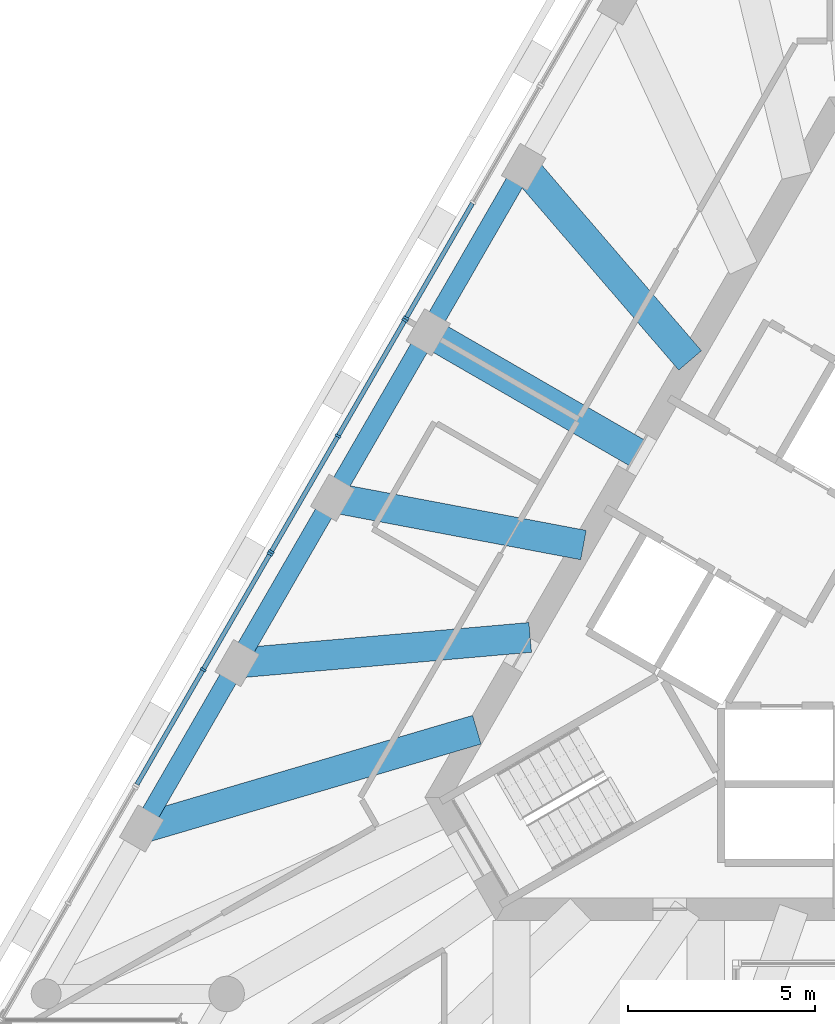
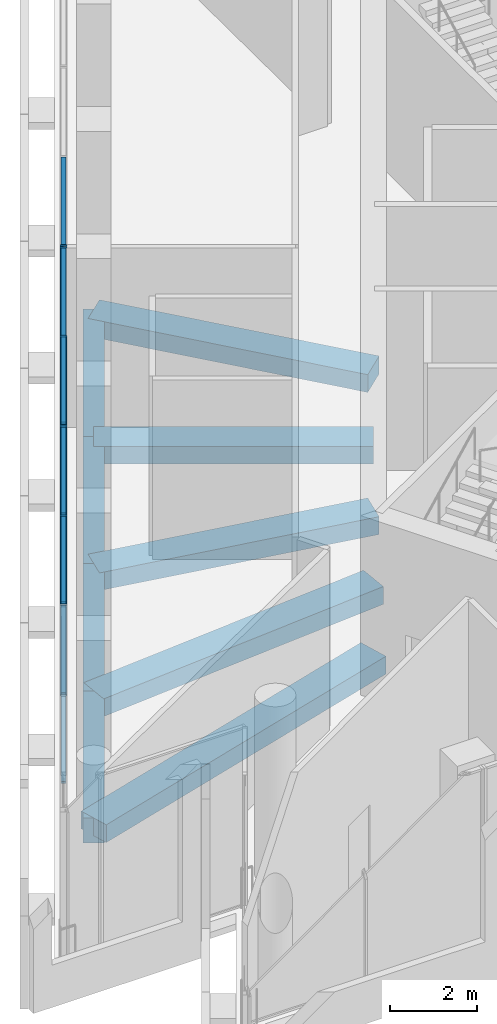
# One storey, part 5 of 17: 16 members, 9 beams, 3 elements without a shape of their own.
"""IFC4 building model written with IfcOpenShell, lengths in metres."""

from ifc_helpers import new_model, si_unit, direction, frame, origin, origin_2d, place, context, subcontext, project, spatial, rectangle, extrude, material, layer, layer_set, material_profile, profile_set, type_object, element, aggregate, save


model = new_model("IFC4")

# Units and contexts
model_context = context("Model", 3, precision=1e-05, world=origin(), true_north=direction((0.0, 1.0)))
body_context = subcontext(model_context, "Body", "Model", "MODEL_VIEW")
ifc_project = project(units=[si_unit("LENGTHUNIT", "METRE"), si_unit("AREAUNIT", "SQUARE_METRE"), si_unit("VOLUMEUNIT", "CUBIC_METRE"), si_unit("PLANEANGLEUNIT", "RADIAN"), si_unit("MASSUNIT", "GRAM", prefix="KILO")], contexts=[model_context])

# Site, building, storey
site_placement = place(None, origin())
site = spatial("IfcSite", under=ifc_project, at=site_placement, CompositionType="ELEMENT")
building_placement = place(site_placement, origin())
building = spatial("IfcBuilding", under=site, at=building_placement, Name="Triada Interchange Tower", CompositionType="ELEMENT")
storey_placement = place(building_placement, frame((0.0, 0.0, 322.300048828125)))
storey = spatial("IfcBuildingStorey", under=building, at=storey_placement, Name="L77", CompositionType="ELEMENT", Elevation=322.300048828125)

# Curtain wall, member
ifc_material_1 = material(Name="Aluminium framed glazing", Category="aluminium")
ifc_layer = layer(ifc_material_1, 0.199951171875)
ifc_layer_set = layer_set([ifc_layer], Name="Curtain wall Sky lobby glazing")
curtain_wall_type = type_object("IfcCurtainWallType", Name="Curtain wall Sky lobby glazing", PredefinedType="NOTDEFINED", material=ifc_layer_set)
curtain_wall_1_placement = place(storey_placement, origin())
curtain_wall_1 = element("IfcCurtainWall", 1, at=curtain_wall_1_placement, inside=storey, type_object=curtain_wall_type, Name="Sky lobby glazing CW303 L77", PredefinedType="NOTDEFINED")
ifc_material_2 = material(Name="Aluminium", Category="aluminium")
ifc_material_profile_1 = material_profile(ifc_material_2, rectangle(XDim=0.159912109375, YDim=0.06005859375, at=origin_2d()), Name="Aluminium mullion")
ifc_profile_set_1 = profile_set([ifc_material_profile_1], Name="Aluminium")
member_type_1 = type_object("IfcMemberType", Name="Mullion Sky lobby glazing 160x60", PredefinedType="MULLION", material=ifc_profile_set_1)
member_1_placement = place(storey_placement, frame((-13.23291015625, 7.679931640625, 0.0), z_axis=(0.0, 0.0, 1.0), x_axis=(0.866007823062, -0.500030449467, 0.0)))
member_1 = element("IfcMember", 2, at=member_1_placement, type_object=member_type_1, Name="CW303 mullion 3", PredefinedType="MULLION", context=body_context, shape_type="SweptSolid", body=[
    extrude(rectangle(XDim=0.159912109375, YDim=0.06005859375, at=origin_2d()), origin(), (0.0, 0.0, 1.0), 5.050048828125),
])

# Curtain wall, members
curtain_wall_2_placement = place(storey_placement, origin())
curtain_wall_2 = element("IfcCurtainWall", 3, at=curtain_wall_2_placement, inside=storey, type_object=curtain_wall_type, Name="Sky lobby glazing CW304 L77", PredefinedType="NOTDEFINED")
member_2_placement = place(storey_placement, frame((-13.26806640625, 7.6201171875, 0.0), z_axis=(0.0, 0.0, 1.0), x_axis=(0.866067851015, -0.499926472032, 0.0)))
member_2 = element("IfcMember", 4, at=member_2_placement, type_object=member_type_1, Name="CW304 mullion 1", PredefinedType="MULLION", context=body_context, shape_type="SweptSolid", body=[
    extrude(rectangle(XDim=0.159912109375, YDim=0.06005859375, at=origin_2d()), origin(), (0.0, 0.0, 1.0), 5.050048828125),
])
member_3_placement = place(storey_placement, frame((-15.055908203125, 4.5224609375, 0.0), z_axis=(0.0, 0.0, 1.0), x_axis=(0.866067851015, -0.499926472032, 0.0)))
member_3 = element("IfcMember", 5, at=member_3_placement, type_object=member_type_1, Name="CW304 mullion 2", PredefinedType="MULLION", context=body_context, shape_type="SweptSolid", body=[
    extrude(rectangle(XDim=0.159912109375, YDim=0.06005859375, at=origin_2d()), origin(), (0.0, 0.0, 1.0), 5.050048828125),
])
member_4_placement = place(storey_placement, frame((-16.843994140625, 1.425048828125, 0.0), z_axis=(0.0, 0.0, 1.0), x_axis=(0.866067851015, -0.499926472032, 0.0)))
member_4 = element("IfcMember", 6, at=member_4_placement, type_object=member_type_1, Name="CW304 mullion 3", PredefinedType="MULLION", context=body_context, shape_type="SweptSolid", body=[
    extrude(rectangle(XDim=0.159912109375, YDim=0.06005859375, at=origin_2d()), origin(), (0.0, 0.0, 1.0), 5.050048828125),
])

curtain_wall_3_placement = place(storey_placement, origin())
curtain_wall_3 = element("IfcCurtainWall", 7, at=curtain_wall_3_placement, inside=storey, type_object=curtain_wall_type, Name="Sky lobby glazing CW305 L77", PredefinedType="NOTDEFINED")
member_5_placement = place(storey_placement, frame((-16.87890625, 1.364990234375, 0.0), z_axis=(0.0, 0.0, 1.0), x_axis=(0.866007823062, -0.500030449467, 0.0)))
member_5 = element("IfcMember", 8, at=member_5_placement, type_object=member_type_1, Name="CW305 mullion 1", PredefinedType="MULLION", context=body_context, shape_type="SweptSolid", body=[
    extrude(rectangle(XDim=0.159912109375, YDim=0.06005859375, at=origin_2d()), origin(), (0.0, 0.0, 1.0), 5.050048828125),
])
member_6_placement = place(storey_placement, frame((-18.66748046875, -1.732421875, 0.0), z_axis=(0.0, 0.0, 1.0), x_axis=(0.866007823062, -0.500030449467, 0.0)))
member_6 = element("IfcMember", 9, at=member_6_placement, type_object=member_type_1, Name="CW305 mullion 2", PredefinedType="MULLION", context=body_context, shape_type="SweptSolid", body=[
    extrude(rectangle(XDim=0.159912109375, YDim=0.06005859375, at=origin_2d()), origin(), (0.0, 0.0, 1.0), 5.050048828125),
])

# Beams
ifc_material_3 = material(Name="Concrete C50/60", Category="concrete")
ifc_material_profile_2 = material_profile(ifc_material_3, rectangle(XDim=0.800048828125, YDim=0.5, at=origin_2d()), Name="RC 800x500")
ifc_profile_set_2 = profile_set([ifc_material_profile_2], Name="Concrete C50/60")
beam_type_1 = type_object("IfcBeamType", Name="Radial band beam D RC 800x500", PredefinedType="BEAM", material=ifc_profile_set_2)
beam_1_placement = place(storey_placement, frame((-10.0869140625, 11.72900390625, -0.550048828125), z_axis=(0.651987928795, -0.758229345717, 0.0), x_axis=(0.758229345717, 0.651987928795, 0.0)))
element("IfcBeam", 10, at=beam_1_placement, inside=storey, type_object=beam_type_1, Name="Radial band beam BD04 L77", PredefinedType="BEAM", context=body_context, shape_type="SweptSolid", body=[
    extrude(rectangle(XDim=0.800048828125, YDim=0.5, at=origin_2d()), origin(), (0.0, 0.0, 1.0), 6.834228515625),
])
beam_2_placement = place(storey_placement, frame((-12.64404296875, 7.300048828125, -0.550048828125), z_axis=(0.866021702275, -0.500006411147, 0.0), x_axis=(0.500006411147, 0.866021702275, 0.0)))
element("IfcBeam", 11, at=beam_2_placement, inside=storey, type_object=beam_type_1, Name="Radial band beam BD05 L77", PredefinedType="BEAM", context=body_context, shape_type="SweptSolid", body=[
    extrude(rectangle(XDim=0.800048828125, YDim=0.5, at=origin_2d()), origin(), (0.0, 0.0, 1.0), 6.4501953125),
])
beam_3_placement = place(storey_placement, frame((-15.200927734375, 2.87109375, -0.550048828125), z_axis=(0.982636839815, -0.185539324778, 0.0), x_axis=(0.185539324778, 0.982636839815, 0.0)))
element("IfcBeam", 12, at=beam_3_placement, inside=storey, type_object=beam_type_1, Name="Radial band beam BD06 L77", PredefinedType="BEAM", context=body_context, shape_type="SweptSolid", body=[
    extrude(rectangle(XDim=0.800048828125, YDim=0.5, at=origin_2d()), origin(), (0.0, 0.0, 1.0), 6.83447265625),
])
beam_4_placement = place(storey_placement, frame((-17.758056640625, -1.556884765625, -0.550048828125), z_axis=(0.996177516465, 0.087351907191, 0.0), x_axis=(-0.087351907191, 0.996177516465, 0.0)))
element("IfcBeam", 13, at=beam_4_placement, inside=storey, type_object=beam_type_1, Name="Radial band beam BD07 L77", PredefinedType="BEAM", context=body_context, shape_type="SweptSolid", body=[
    extrude(rectangle(XDim=0.800048828125, YDim=0.5, at=origin_2d()), origin(), (0.0, 0.0, 1.0), 7.8759765625),
])
beam_5_placement = place(storey_placement, frame((-20.31494140625, -5.986083984375, -0.550048828125), z_axis=(0.959210376833, 0.282693213531, 0.0), x_axis=(-0.282693213531, 0.959210376833, 0.0)))
element("IfcBeam", 14, at=beam_5_placement, inside=storey, type_object=beam_type_1, Name="Radial band beam BD08 L77", PredefinedType="BEAM", context=body_context, shape_type="SweptSolid", body=[
    extrude(rectangle(XDim=0.800048828125, YDim=0.5, at=origin_2d()), origin(), (0.0, 0.0, 1.0), 9.3564453125),
])
ifc_material_profile_3 = material_profile(ifc_material_3, rectangle(XDim=0.5, YDim=0.699951171875, at=origin_2d()), Name="RC 500x700")
ifc_profile_set_3 = profile_set([ifc_material_profile_3], Name="Concrete C50/60")
beam_type_2 = type_object("IfcBeamType", Name="Spandrel beam D RC 500x700", PredefinedType="BEAM", material=ifc_profile_set_3)
beam_6_placement = place(storey_placement, frame((-10.0869140625, 11.72900390625, -0.650146484375), z_axis=(-0.500010338873, -0.866019434551, 0.0), x_axis=(0.866019434551, -0.500010338873, 0.0)))
element("IfcBeam", 15, at=beam_6_placement, inside=storey, type_object=beam_type_2, Name="Spandrel beam ED04 L77", PredefinedType="BEAM", context=body_context, shape_type="SweptSolid", body=[
    extrude(rectangle(XDim=0.5, YDim=0.699951171875, at=origin_2d()), origin(), (0.0, 0.0, 1.0), 5.1142578125),
])
beam_7_placement = place(storey_placement, frame((-12.64404296875, 7.300048828125, -0.650146484375), z_axis=(-0.499974534403, -0.866040105854, 0.0), x_axis=(0.866040105854, -0.499974534403, 0.0)))
element("IfcBeam", 16, at=beam_7_placement, inside=storey, type_object=beam_type_2, Name="Spandrel beam ED05 L77", PredefinedType="BEAM", context=body_context, shape_type="SweptSolid", body=[
    extrude(rectangle(XDim=0.5, YDim=0.699951171875, at=origin_2d()), origin(), (0.0, 0.0, 1.0), 5.114013671875),
])
beam_8_placement = place(storey_placement, frame((-15.200927734375, 2.87109375, -0.650146484375), z_axis=(-0.500093036468, -0.865971682491, 0.0), x_axis=(0.865971682491, -0.500093036468, 0.0)))
element("IfcBeam", 17, at=beam_8_placement, inside=storey, type_object=beam_type_2, Name="Spandrel beam ED06 L77", PredefinedType="BEAM", context=body_context, shape_type="SweptSolid", body=[
    extrude(rectangle(XDim=0.5, YDim=0.699951171875, at=origin_2d()), origin(), (0.0, 0.0, 1.0), 5.11328125),
])
beam_9_placement = place(storey_placement, frame((-17.758056640625, -1.556884765625, -0.650146484375), z_axis=(-0.499953864059, -0.866052038744, 0.0), x_axis=(0.866052038744, -0.499953864059, 0.0)))
element("IfcBeam", 18, at=beam_9_placement, inside=storey, type_object=beam_type_2, Name="Spandrel beam ED07 L77", PredefinedType="BEAM", context=body_context, shape_type="SweptSolid", body=[
    extrude(rectangle(XDim=0.5, YDim=0.699951171875, at=origin_2d()), origin(), (0.0, 0.0, 1.0), 5.1142578125),
])

# Member
ifc_material_profile_4 = material_profile(ifc_material_2, rectangle(XDim=0.1201171875, YDim=0.06005859375, at=origin_2d()), Name="Aluminium transom")
ifc_profile_set_4 = profile_set([ifc_material_profile_4], Name="Aluminium")
member_type_2 = type_object("IfcMemberType", Name="Transom Sky lobby glazing 120x60", PredefinedType="USERDEFINED", material=ifc_profile_set_4)
member_7_placement = place(storey_placement, frame((-11.45947265625, 10.75146484375, 0.030029296875), z_axis=(-0.500058978211, -0.865991350021, 0.0), x_axis=(0.865991350021, -0.500058978211, 0.0)))
member_7 = element("IfcMember", 19, at=member_7_placement, type_object=member_type_2, Name="CW303 transom 2.1", ObjectType="TRANSOM", PredefinedType="USERDEFINED", context=body_context, shape_type="SweptSolid", body=[
    extrude(rectangle(XDim=0.1201171875, YDim=0.06005859375, at=origin_2d()), origin(), (0.0, 0.0, 1.0), 3.5166015625),
])

member_8_placement = place(storey_placement, frame((-11.45947265625, 10.75146484375, 5.02001953125), z_axis=(-0.500058978211, -0.865991350021, 0.0), x_axis=(0.865991350021, -0.500058978211, 0.0)))
member_8 = element("IfcMember", 20, at=member_8_placement, type_object=member_type_2, Name="CW303 transom 2.2", ObjectType="TRANSOM", PredefinedType="USERDEFINED", context=body_context, shape_type="SweptSolid", body=[
    extrude(rectangle(XDim=0.1201171875, YDim=0.06005859375, at=origin_2d()), origin(), (0.0, 0.0, 1.0), 3.5166015625),
])

aggregate(curtain_wall_1, [member_1, member_7, member_8])

member_9_placement = place(storey_placement, frame((-13.282958984375, 7.593994140625, 0.030029296875), z_axis=(-0.499954839991, -0.866051475358, 0.0), x_axis=(0.866051475358, -0.499954839991, 0.0)))
member_9 = element("IfcMember", 21, at=member_9_placement, type_object=member_type_2, Name="CW304 transom 1.1", ObjectType="TRANSOM", PredefinedType="USERDEFINED", context=body_context, shape_type="SweptSolid", body=[
    extrude(rectangle(XDim=0.1201171875, YDim=0.06005859375, at=origin_2d()), origin(), (0.0, 0.0, 1.0), 3.516357421875),
])

member_10_placement = place(storey_placement, frame((-13.282958984375, 7.593994140625, 5.02001953125), z_axis=(-0.499954839991, -0.866051475358, 0.0), x_axis=(0.866051475358, -0.499954839991, 0.0)))
member_10 = element("IfcMember", 22, at=member_10_placement, type_object=member_type_2, Name="CW304 transom 1.2", ObjectType="TRANSOM", PredefinedType="USERDEFINED", context=body_context, shape_type="SweptSolid", body=[
    extrude(rectangle(XDim=0.1201171875, YDim=0.06005859375, at=origin_2d()), origin(), (0.0, 0.0, 1.0), 3.516357421875),
])

member_11_placement = place(storey_placement, frame((-15.071044921875, 4.49658203125, 0.030029296875), z_axis=(-0.499924779873, -0.86606882779, 0.0), x_axis=(0.86606882779, -0.499924779873, 0.0)))
member_11 = element("IfcMember", 23, at=member_11_placement, type_object=member_type_2, Name="CW304 transom 2.1", ObjectType="TRANSOM", PredefinedType="USERDEFINED", context=body_context, shape_type="SweptSolid", body=[
    extrude(rectangle(XDim=0.1201171875, YDim=0.06005859375, at=origin_2d()), origin(), (0.0, 0.0, 1.0), 3.5166015625),
])

member_12_placement = place(storey_placement, frame((-15.071044921875, 4.49658203125, 5.02001953125), z_axis=(-0.499924779873, -0.86606882779, 0.0), x_axis=(0.86606882779, -0.499924779873, 0.0)))
member_12 = element("IfcMember", 24, at=member_12_placement, type_object=member_type_2, Name="CW304 transom 2.2", ObjectType="TRANSOM", PredefinedType="USERDEFINED", context=body_context, shape_type="SweptSolid", body=[
    extrude(rectangle(XDim=0.1201171875, YDim=0.06005859375, at=origin_2d()), origin(), (0.0, 0.0, 1.0), 3.5166015625),
])

aggregate(curtain_wall_2, [member_2, member_3, member_4, member_9, member_10, member_11, member_12])

member_13_placement = place(storey_placement, frame((-16.89404296875, 1.339111328125, 0.030029296875), z_axis=(-0.500028916005, -0.866008708477, 0.0), x_axis=(0.866008708477, -0.500028916005, 0.0)))
member_13 = element("IfcMember", 25, at=member_13_placement, type_object=member_type_2, Name="CW305 transom 1.1", ObjectType="TRANSOM", PredefinedType="USERDEFINED", context=body_context, shape_type="SweptSolid", body=[
    extrude(rectangle(XDim=0.1201171875, YDim=0.06005859375, at=origin_2d()), origin(), (0.0, 0.0, 1.0), 3.516845703125),
])

member_14_placement = place(storey_placement, frame((-16.89404296875, 1.339111328125, 5.02001953125), z_axis=(-0.500028916005, -0.866008708477, 0.0), x_axis=(0.866008708477, -0.500028916005, 0.0)))
member_14 = element("IfcMember", 26, at=member_14_placement, type_object=member_type_2, Name="CW305 transom 1.2", ObjectType="TRANSOM", PredefinedType="USERDEFINED", context=body_context, shape_type="SweptSolid", body=[
    extrude(rectangle(XDim=0.1201171875, YDim=0.06005859375, at=origin_2d()), origin(), (0.0, 0.0, 1.0), 3.516845703125),
])

member_15_placement = place(storey_placement, frame((-18.6826171875, -1.758544921875, 0.030029296875), z_axis=(-0.500006911812, -0.866021413211, 0.0), x_axis=(0.866021413211, -0.500006911812, 0.0)))
member_15 = element("IfcMember", 27, at=member_15_placement, type_object=member_type_2, Name="CW305 transom 2.1", ObjectType="TRANSOM", PredefinedType="USERDEFINED", context=body_context, shape_type="SweptSolid", body=[
    extrude(rectangle(XDim=0.1201171875, YDim=0.06005859375, at=origin_2d()), origin(), (0.0, 0.0, 1.0), 3.5166015625),
])

member_16_placement = place(storey_placement, frame((-18.6826171875, -1.758544921875, 5.02001953125), z_axis=(-0.500006911812, -0.866021413211, 0.0), x_axis=(0.866021413211, -0.500006911812, 0.0)))
member_16 = element("IfcMember", 28, at=member_16_placement, type_object=member_type_2, Name="CW305 transom 2.2", ObjectType="TRANSOM", PredefinedType="USERDEFINED", context=body_context, shape_type="SweptSolid", body=[
    extrude(rectangle(XDim=0.1201171875, YDim=0.06005859375, at=origin_2d()), origin(), (0.0, 0.0, 1.0), 3.5166015625),
])

aggregate(curtain_wall_3, [member_5, member_6, member_13, member_14, member_15, member_16])

save(model, "model.ifc")
